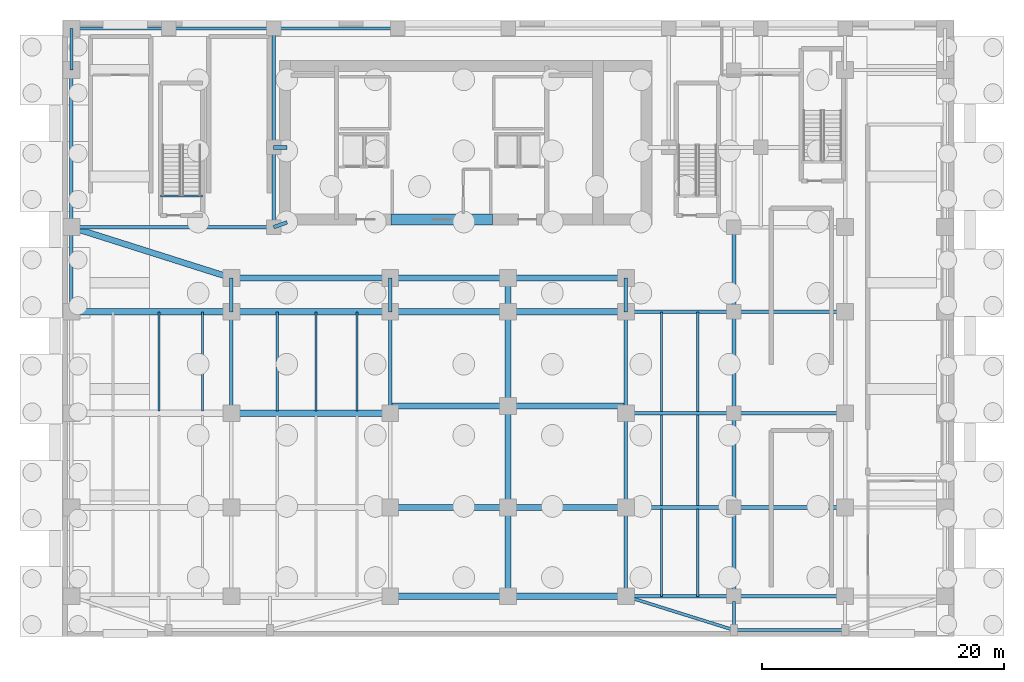
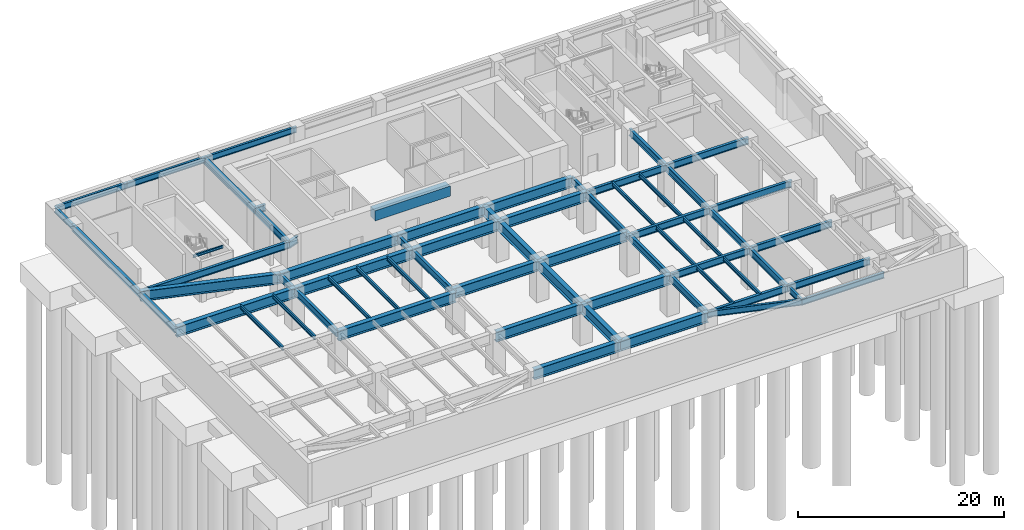
# One storey, part 3 of 9: 66 beams.
"""IFC4 building model written with IfcOpenShell, lengths in metres."""

from ifc_helpers import new_model, si_unit, direction, frame, origin, origin_2d, place, context, subcontext, project, spatial, rectangle, i_section, extrude, source, transform, mapped, material, material_profile, profile_set, type_object, type_shapes, element, save


model = new_model("IFC4")

# Units and contexts
model_context = context("Model", 3, precision=1e-05, world=origin(), true_north=direction((0.0, 1.0)))
body_context = subcontext(model_context, "Body", "Model", "MODEL_VIEW")
ifc_project = project(units=[si_unit("LENGTHUNIT", "METRE"), si_unit("AREAUNIT", "SQUARE_METRE"), si_unit("VOLUMEUNIT", "CUBIC_METRE"), si_unit("PLANEANGLEUNIT", "RADIAN"), si_unit("MASSUNIT", "GRAM", prefix="KILO")], contexts=[model_context])

# Site, building, storey
site_placement = place(None, origin())
site = spatial("IfcSite", under=ifc_project, at=site_placement, CompositionType="ELEMENT")
building_placement = place(site_placement, origin())
building = spatial("IfcBuilding", under=site, at=building_placement, Name="Tolvann Quenvar Hotel", CompositionType="ELEMENT")
storey_placement = place(building_placement, frame((0.0, 0.0, -14.39990234375)))
storey = spatial("IfcBuildingStorey", under=building, at=storey_placement, Name="B03", CompositionType="ELEMENT", Elevation=-14.39990234375)

# Beams
ifc_material_1 = material(Name="Concrete S80 (80 MPa)", Category="concrete")
ifc_material_profile_1 = material_profile(ifc_material_1, rectangle(XDim=0.89990234375, YDim=1.199951171875, at=origin_2d()), Name="RC900x1200")
ifc_profile_set_1 = profile_set([ifc_material_profile_1], Name="Concrete S80 (80 MPa)")
beam_type_1 = type_object("IfcBeamType", Name="BM_LINT_RC900x1200", PredefinedType="LINTEL", material=ifc_profile_set_1)
shared_shape_1 = source(origin(), body_context, "Body", "SweptSolid", [
    extrude(rectangle(XDim=0.89990234375, YDim=1.199951171875, at=origin_2d()), origin(), (0.0, 0.0, 1.0), 8.39990234375),
])
type_shapes(beam_type_1, [shared_shape_1])
beam_1_placement = place(storey_placement, frame((18.800048828125, 32.050048828125, 3.93994140625), z_axis=(1.0, 0.0, 0.0), x_axis=(0.0, 1.0, 0.0)))
element("IfcBeam", 1, at=beam_1_placement, inside=storey, type_object=beam_type_1, Name="Core Coupling Lintel Beam (B03)", PredefinedType="LINTEL", context=body_context, shape_type="MappedRepresentation", body=[
    mapped(shared_shape_1, transform((0.0, 0.0, 0.0), x_axis=(1.0, 0.0, 0.0), y_axis=(0.0, 1.0, 0.0), z_axis=(0.0, 0.0, 1.0), scale=1.0)),
])
ifc_material_2 = material(Name="Steel Grade 350", Category="steel")
ifc_material_profile_2 = material_profile(ifc_material_2, i_section(OverallWidth=0.5, OverallDepth=1.199951171875, WebThickness=0.01611328125, FlangeThickness=0.0400390625, at=origin_2d()), Name="1200WB455")
ifc_profile_set_2 = profile_set([ifc_material_profile_2], Name="Steel Grade 350")
beam_type_2 = type_object("IfcBeamType", Name="BM_TG_1200WB455", PredefinedType="USERDEFINED", material=ifc_profile_set_2)
shared_shape_2 = source(origin(), body_context, "Body", "SweptSolid", [
    extrude(i_section(OverallWidth=0.5, OverallDepth=1.199951171875, WebThickness=0.01611328125, FlangeThickness=0.0400390625, at=origin_2d()), origin(), (0.0, 0.0, 1.0), 13.25),
])
beam_2_placement = place(storey_placement, frame((-7.64990234375, 24.39990234375, 3.93994140625), z_axis=(1.0, 0.0, 0.0), x_axis=(0.0, 1.0, 0.0)))
element("IfcBeam", 2, at=beam_2_placement, inside=storey, type_object=beam_type_2, Name="BM-B03-GW1-4", ObjectType="TRANSFER GIRDER", PredefinedType="USERDEFINED", context=body_context, shape_type="MappedRepresentation", body=[
    mapped(shared_shape_2, transform((0.0, 0.0, 0.0), x_axis=(1.0, 0.0, 0.0), y_axis=(0.0, 1.0, 0.0), z_axis=(0.0, 0.0, 1.0), scale=1.0)),
])
shared_shape_3 = source(origin(), body_context, "Body", "SweptSolid", [
    extrude(i_section(OverallWidth=0.5, OverallDepth=1.199951171875, WebThickness=0.01611328125, FlangeThickness=0.0400390625, at=origin_2d()), origin(), (0.0, 0.0, 1.0), 13.14990234375),
])
for number, where, z_axis, x_axis, name in (
    (3, (5.60009765625, 16.0, 3.93994140625), (1.0, 0.0, 0.0), (0.0, 1.0, 0.0), "BM-B03-GW2-3"),
    (4, (5.60009765625, 24.39990234375, 3.93994140625), (1.0, 0.0, 0.0), (0.0, 1.0, 0.0), "BM-B03-GW2-4"),
    (5, (5.60009765625, 27.199951171875, 3.93994140625), (1.0, 0.0, 0.0), (0.0, 1.0, 0.0), "BM-B03-GW2-5"),
):
    element("IfcBeam", number, at=place(storey_placement, frame(where, z_axis=z_axis, x_axis=x_axis)), inside=storey, type_object=beam_type_2, Name=name, ObjectType="TRANSFER GIRDER", PredefinedType="USERDEFINED", context=body_context, shape_type="MappedRepresentation", body=[
        mapped(shared_shape_3, transform((0.0, 0.0, 0.0), x_axis=(1.0, 0.0, 0.0), y_axis=(0.0, 1.0, 0.0), z_axis=(0.0, 0.0, 1.0), scale=1.0)),
    ])
shared_shape_4 = source(origin(), body_context, "Body", "SweptSolid", [
    extrude(i_section(OverallWidth=0.5, OverallDepth=1.199951171875, WebThickness=0.01611328125, FlangeThickness=0.0400390625, at=origin_2d()), origin(), (0.0, 0.0, 1.0), 13.899658203125),
])
beam_3_placement = place(storey_placement, frame((-7.64990234375, 31.39990234375, 3.93994140625), z_axis=(0.953256923778, -0.302160945971, 0.0), x_axis=(0.302160945971, 0.953256923778, 0.0)))
element("IfcBeam", 6, at=beam_3_placement, inside=storey, type_object=beam_type_2, Name="BM-B03-GW1-5", ObjectType="TRANSFER GIRDER", PredefinedType="USERDEFINED", context=body_context, shape_type="MappedRepresentation", body=[
    mapped(shared_shape_4, transform((0.0, 0.0, 0.0), x_axis=(1.0, 0.0, 0.0), y_axis=(0.0, 1.0, 0.0), z_axis=(0.0, 0.0, 1.0), scale=1.0)),
])
ifc_material_profile_3 = material_profile(ifc_material_2, i_section(OverallWidth=0.300048828125, OverallDepth=0.81591796875, WebThickness=0.010009765625, FlangeThickness=0.028076171875, at=origin_2d()), Name="800WB192")
ifc_profile_set_3 = profile_set([ifc_material_profile_3], Name="Steel Grade 350")
beam_type_3 = type_object("IfcBeamType", Name="BM_GIRD_800WB192", PredefinedType="BEAM", material=ifc_profile_set_3)
shared_shape_5 = source(origin(), body_context, "Body", "SweptSolid", [
    extrude(i_section(OverallWidth=0.300048828125, OverallDepth=0.81591796875, WebThickness=0.010009765625, FlangeThickness=0.028076171875, at=origin_2d()), origin(), (0.0, 0.0, 1.0), 7.349853515625),
])
for number, where, z_axis, x_axis, name in (
    (7, (38.25, 0.85009765625, 4.1318359375), (0.0, 1.0, 0.0), (-1.0, 0.0, 0.0), "BM-B03-NS-APE-0"),
    (8, (47.199951171875, 0.85009765625, 4.1318359375), (0.0, 1.0, 0.0), (-1.0, 0.0, 0.0), "BM-B03-NS-H-0"),
):
    element("IfcBeam", number, at=place(storey_placement, frame(where, z_axis=z_axis, x_axis=x_axis)), inside=storey, type_object=beam_type_3, Name=name, PredefinedType="BEAM", context=body_context, shape_type="MappedRepresentation", body=[
        mapped(shared_shape_5, transform((0.0, 0.0, 0.0), x_axis=(1.0, 0.0, 0.0), y_axis=(0.0, 1.0, 0.0), z_axis=(0.0, 0.0, 1.0), scale=1.0)),
    ])
shared_shape_6 = source(origin(), body_context, "Body", "SweptSolid", [
    extrude(i_section(OverallWidth=0.300048828125, OverallDepth=0.81591796875, WebThickness=0.010009765625, FlangeThickness=0.028076171875, at=origin_2d()), origin(), (0.0, 0.0, 1.0), 7.800048828125),
])
for number, where, z_axis, x_axis, name in (
    (9, (38.25, 8.199951171875, 4.1318359375), (0.0, 1.0, 0.0), (-1.0, 0.0, 0.0), "BM-B03-NS-APE-1"),
    (10, (47.199951171875, 8.199951171875, 4.1318359375), (0.0, 1.0, 0.0), (-1.0, 0.0, 0.0), "BM-B03-NS-H-1"),
):
    element("IfcBeam", number, at=place(storey_placement, frame(where, z_axis=z_axis, x_axis=x_axis)), inside=storey, type_object=beam_type_3, Name=name, PredefinedType="BEAM", context=body_context, shape_type="MappedRepresentation", body=[
        mapped(shared_shape_6, transform((0.0, 0.0, 0.0), x_axis=(1.0, 0.0, 0.0), y_axis=(0.0, 1.0, 0.0), z_axis=(0.0, 0.0, 1.0), scale=1.0)),
    ])
shared_shape_7 = source(origin(), body_context, "Body", "SweptSolid", [
    extrude(i_section(OverallWidth=0.300048828125, OverallDepth=0.81591796875, WebThickness=0.010009765625, FlangeThickness=0.028076171875, at=origin_2d()), origin(), (0.0, 0.0, 1.0), 8.39990234375),
])
for number, where, z_axis, x_axis, name in (
    (11, (5.60009765625, 16.0, 4.1318359375), (0.0, 1.0, 0.0), (-1.0, 0.0, 0.0), "BM-B03-NS-PBAL-2"),
    (12, (18.75, 16.0, 4.1318359375), (0.0, 1.0, 0.0), (-1.0, 0.0, 0.0), "BM-B03-NS-APW-2"),
    (13, (38.25, 16.0, 4.1318359375), (0.0, 1.0, 0.0), (-1.0, 0.0, 0.0), "BM-B03-NS-APE-2"),
    (14, (47.199951171875, 16.0, 4.1318359375), (0.0, 1.0, 0.0), (-1.0, 0.0, 0.0), "BM-B03-NS-H-2"),
):
    element("IfcBeam", number, at=place(storey_placement, frame(where, z_axis=z_axis, x_axis=x_axis)), inside=storey, type_object=beam_type_3, Name=name, PredefinedType="BEAM", context=body_context, shape_type="MappedRepresentation", body=[
        mapped(shared_shape_7, transform((0.0, 0.0, 0.0), x_axis=(1.0, 0.0, 0.0), y_axis=(0.0, 1.0, 0.0), z_axis=(0.0, 0.0, 1.0), scale=1.0)),
    ])
shared_shape_8 = source(origin(), body_context, "Body", "SweptSolid", [
    extrude(i_section(OverallWidth=0.300048828125, OverallDepth=0.81591796875, WebThickness=0.010009765625, FlangeThickness=0.028076171875, at=origin_2d()), origin(), (0.0, 0.0, 1.0), 2.800048828125),
])
for number, where, z_axis, x_axis, name in (
    (15, (5.60009765625, 24.39990234375, 4.1318359375), (0.0, 1.0, 0.0), (-1.0, 0.0, 0.0), "BM-B03-NS-PBAL-3"),
    (16, (18.75, 24.39990234375, 4.1318359375), (0.0, 1.0, 0.0), (-1.0, 0.0, 0.0), "BM-B03-NS-APW-3"),
    (17, (38.25, 24.39990234375, 4.1318359375), (0.0, 1.0, 0.0), (-1.0, 0.0, 0.0), "BM-B03-NS-APE-3"),
):
    element("IfcBeam", number, at=place(storey_placement, frame(where, z_axis=z_axis, x_axis=x_axis)), inside=storey, type_object=beam_type_3, Name=name, PredefinedType="BEAM", context=body_context, shape_type="MappedRepresentation", body=[
        mapped(shared_shape_8, transform((0.0, 0.0, 0.0), x_axis=(1.0, 0.0, 0.0), y_axis=(0.0, 1.0, 0.0), z_axis=(0.0, 0.0, 1.0), scale=1.0)),
    ])
shared_shape_9 = source(origin(), body_context, "Body", "SweptSolid", [
    extrude(i_section(OverallWidth=0.5, OverallDepth=1.199951171875, WebThickness=0.01611328125, FlangeThickness=0.0400390625, at=origin_2d()), origin(), (0.0, 0.0, 1.0), 9.75),
])
for number, where, z_axis, x_axis, name in (
    (18, (18.75, 0.85009765625, 3.93994140625), (1.0, 0.0, 0.0), (0.0, 1.0, 0.0), "BM-B03-GA1-8"),
    (19, (28.5, 0.85009765625, 3.93994140625), (1.0, 0.0, 0.0), (0.0, 1.0, 0.0), "BM-B03-GA2-8"),
    (20, (18.75, 8.199951171875, 3.93994140625), (1.0, 0.0, 0.0), (0.0, 1.0, 0.0), "BM-B03-GA1-82"),
    (21, (28.5, 8.199951171875, 3.93994140625), (1.0, 0.0, 0.0), (0.0, 1.0, 0.0), "BM-B03-GA2-82"),
    (22, (18.75, 16.60009765625, 3.93994140625), (1.0, 0.0, 0.0), (0.0, 1.0, 0.0), "BM-B03-GA1-166"),
    (23, (28.5, 16.60009765625, 3.93994140625), (1.0, 0.0, 0.0), (0.0, 1.0, 0.0), "BM-B03-GA2-166"),
    (24, (18.75, 24.39990234375, 3.93994140625), (1.0, 0.0, 0.0), (0.0, 1.0, 0.0), "BM-B03-GA1-244"),
    (25, (28.5, 24.39990234375, 3.93994140625), (1.0, 0.0, 0.0), (0.0, 1.0, 0.0), "BM-B03-GA2-244"),
    (26, (18.75, 27.199951171875, 3.93994140625), (1.0, 0.0, 0.0), (0.0, 1.0, 0.0), "BM-B03-GA1-272"),
    (27, (28.5, 27.199951171875, 3.93994140625), (1.0, 0.0, 0.0), (0.0, 1.0, 0.0), "BM-B03-GA2-272"),
):
    element("IfcBeam", number, at=place(storey_placement, frame(where, z_axis=z_axis, x_axis=x_axis)), inside=storey, type_object=beam_type_2, Name=name, ObjectType="TRANSFER GIRDER", PredefinedType="USERDEFINED", context=body_context, shape_type="MappedRepresentation", body=[
        mapped(shared_shape_9, transform((0.0, 0.0, 0.0), x_axis=(1.0, 0.0, 0.0), y_axis=(0.0, 1.0, 0.0), z_axis=(0.0, 0.0, 1.0), scale=1.0)),
    ])
shared_shape_10 = source(origin(), body_context, "Body", "SweptSolid", [
    extrude(i_section(OverallWidth=0.5, OverallDepth=1.199951171875, WebThickness=0.01611328125, FlangeThickness=0.0400390625, at=origin_2d()), origin(), (0.0, 0.0, 1.0), 7.349853515625),
])
beam_4_placement = place(storey_placement, frame((28.5, 0.85009765625, 3.93994140625), z_axis=(0.0, 1.0, 0.0), x_axis=(-1.0, 0.0, 0.0)))
element("IfcBeam", 28, at=beam_4_placement, inside=storey, type_object=beam_type_2, Name="BM-B03-ARCH-NS-0", ObjectType="TRANSFER GIRDER", PredefinedType="USERDEFINED", context=body_context, shape_type="MappedRepresentation", body=[
    mapped(shared_shape_10, transform((0.0, 0.0, 0.0), x_axis=(1.0, 0.0, 0.0), y_axis=(0.0, 1.0, 0.0), z_axis=(0.0, 0.0, 1.0), scale=1.0)),
])
shared_shape_11 = source(origin(), body_context, "Body", "SweptSolid", [
    extrude(i_section(OverallWidth=0.5, OverallDepth=1.199951171875, WebThickness=0.01611328125, FlangeThickness=0.0400390625, at=origin_2d()), origin(), (0.0, 0.0, 1.0), 8.400146484375),
])
beam_5_placement = place(storey_placement, frame((28.5, 8.199951171875, 3.93994140625), z_axis=(0.0, 1.0, 0.0), x_axis=(-1.0, 0.0, 0.0)))
element("IfcBeam", 29, at=beam_5_placement, inside=storey, type_object=beam_type_2, Name="BM-B03-ARCH-NS-8", ObjectType="TRANSFER GIRDER", PredefinedType="USERDEFINED", context=body_context, shape_type="MappedRepresentation", body=[
    mapped(shared_shape_11, transform((0.0, 0.0, 0.0), x_axis=(1.0, 0.0, 0.0), y_axis=(0.0, 1.0, 0.0), z_axis=(0.0, 0.0, 1.0), scale=1.0)),
])
shared_shape_12 = source(origin(), body_context, "Body", "SweptSolid", [
    extrude(i_section(OverallWidth=0.5, OverallDepth=1.199951171875, WebThickness=0.01611328125, FlangeThickness=0.0400390625, at=origin_2d()), origin(), (0.0, 0.0, 1.0), 7.7998046875),
])
beam_6_placement = place(storey_placement, frame((28.5, 16.60009765625, 3.93994140625), z_axis=(0.0, 1.0, 0.0), x_axis=(-1.0, 0.0, 0.0)))
element("IfcBeam", 30, at=beam_6_placement, inside=storey, type_object=beam_type_2, Name="BM-B03-ARCH-NS-16", ObjectType="TRANSFER GIRDER", PredefinedType="USERDEFINED", context=body_context, shape_type="MappedRepresentation", body=[
    mapped(shared_shape_12, transform((0.0, 0.0, 0.0), x_axis=(1.0, 0.0, 0.0), y_axis=(0.0, 1.0, 0.0), z_axis=(0.0, 0.0, 1.0), scale=1.0)),
])
shared_shape_13 = source(origin(), body_context, "Body", "SweptSolid", [
    extrude(i_section(OverallWidth=0.5, OverallDepth=1.199951171875, WebThickness=0.01611328125, FlangeThickness=0.0400390625, at=origin_2d()), origin(), (0.0, 0.0, 1.0), 2.800048828125),
])
type_shapes(beam_type_2, [shared_shape_2, shared_shape_3, shared_shape_4, shared_shape_9, shared_shape_10, shared_shape_11, shared_shape_12, shared_shape_13])
beam_7_placement = place(storey_placement, frame((28.5, 24.39990234375, 3.93994140625), z_axis=(0.0, 1.0, 0.0), x_axis=(-1.0, 0.0, 0.0)))
element("IfcBeam", 31, at=beam_7_placement, inside=storey, type_object=beam_type_2, Name="BM-B03-ARCH-NS-24", ObjectType="TRANSFER GIRDER", PredefinedType="USERDEFINED", context=body_context, shape_type="MappedRepresentation", body=[
    mapped(shared_shape_13, transform((0.0, 0.0, 0.0), x_axis=(1.0, 0.0, 0.0), y_axis=(0.0, 1.0, 0.0), z_axis=(0.0, 0.0, 1.0), scale=1.0)),
])
shared_shape_14 = source(origin(), body_context, "Body", "SweptSolid", [
    extrude(i_section(OverallWidth=0.300048828125, OverallDepth=0.81591796875, WebThickness=0.010009765625, FlangeThickness=0.028076171875, at=origin_2d()), origin(), (0.0, 0.0, 1.0), 8.949951171875),
])
for number, where, z_axis, x_axis, name in (
    (32, (38.25, 0.85009765625, 4.1318359375), (1.0, 0.0, 0.0), (0.0, 1.0, 0.0), "BM-B03-GE1-1"),
    (33, (38.25, 8.199951171875, 4.1318359375), (1.0, 0.0, 0.0), (0.0, 1.0, 0.0), "BM-B03-GE1-2"),
    (34, (38.25, 16.0, 4.1318359375), (1.0, 0.0, 0.0), (0.0, 1.0, 0.0), "BM-B03-GE1-3"),
    (35, (38.25, 24.39990234375, 4.1318359375), (1.0, 0.0, 0.0), (0.0, 1.0, 0.0), "BM-B03-GE1-4"),
):
    element("IfcBeam", number, at=place(storey_placement, frame(where, z_axis=z_axis, x_axis=x_axis)), inside=storey, type_object=beam_type_3, Name=name, PredefinedType="BEAM", context=body_context, shape_type="MappedRepresentation", body=[
        mapped(shared_shape_14, transform((0.0, 0.0, 0.0), x_axis=(1.0, 0.0, 0.0), y_axis=(0.0, 1.0, 0.0), z_axis=(0.0, 0.0, 1.0), scale=1.0)),
    ])
shared_shape_15 = source(origin(), body_context, "Body", "SweptSolid", [
    extrude(i_section(OverallWidth=0.300048828125, OverallDepth=0.81591796875, WebThickness=0.010009765625, FlangeThickness=0.028076171875, at=origin_2d()), origin(), (0.0, 0.0, 1.0), 9.199951171875),
])
for number, where, z_axis, x_axis, name in (
    (36, (47.199951171875, 0.85009765625, 4.1318359375), (1.0, 0.0, 0.0), (0.0, 1.0, 0.0), "BM-B03-GE2-1"),
    (37, (47.199951171875, 8.199951171875, 4.1318359375), (1.0, 0.0, 0.0), (0.0, 1.0, 0.0), "BM-B03-GE2-2"),
    (38, (47.199951171875, 16.0, 4.1318359375), (1.0, 0.0, 0.0), (0.0, 1.0, 0.0), "BM-B03-GE2-3"),
    (39, (47.199951171875, 24.39990234375, 4.1318359375), (1.0, 0.0, 0.0), (0.0, 1.0, 0.0), "BM-B03-GE2-4"),
):
    element("IfcBeam", number, at=place(storey_placement, frame(where, z_axis=z_axis, x_axis=x_axis)), inside=storey, type_object=beam_type_3, Name=name, PredefinedType="BEAM", context=body_context, shape_type="MappedRepresentation", body=[
        mapped(shared_shape_15, transform((0.0, 0.0, 0.0), x_axis=(1.0, 0.0, 0.0), y_axis=(0.0, 1.0, 0.0), z_axis=(0.0, 0.0, 1.0), scale=1.0)),
    ])
shared_shape_16 = source(origin(), body_context, "Body", "SweptSolid", [
    extrude(i_section(OverallWidth=0.300048828125, OverallDepth=0.81591796875, WebThickness=0.010009765625, FlangeThickness=0.028076171875, at=origin_2d()), origin(), (0.0, 0.0, 1.0), 7.0),
])
for number, where, z_axis, x_axis, name in (
    (40, (-7.64990234375, 24.39990234375, 4.1318359375), (0.0, 1.0, 0.0), (-1.0, 0.0, 0.0), "BM-B03-NS-A-3"),
    (41, (47.199951171875, 24.39990234375, 4.1318359375), (0.0, 1.0, 0.0), (-1.0, 0.0, 0.0), "BM-B03-NS-H-3"),
):
    element("IfcBeam", number, at=place(storey_placement, frame(where, z_axis=z_axis, x_axis=x_axis)), inside=storey, type_object=beam_type_3, Name=name, PredefinedType="BEAM", context=body_context, shape_type="MappedRepresentation", body=[
        mapped(shared_shape_16, transform((0.0, 0.0, 0.0), x_axis=(1.0, 0.0, 0.0), y_axis=(0.0, 1.0, 0.0), z_axis=(0.0, 0.0, 1.0), scale=1.0)),
    ])
shared_shape_17 = source(origin(), body_context, "Body", "SweptSolid", [
    extrude(i_section(OverallWidth=0.300048828125, OverallDepth=0.81591796875, WebThickness=0.010009765625, FlangeThickness=0.028076171875, at=origin_2d()), origin(), (0.0, 0.0, 1.0), 13.0),
])
beam_8_placement = place(storey_placement, frame((-7.64990234375, 31.39990234375, 4.1318359375), z_axis=(0.0, 1.0, 0.0), x_axis=(-1.0, 0.0, 0.0)))
element("IfcBeam", 42, at=beam_8_placement, inside=storey, type_object=beam_type_3, Name="BM-B03-NS-A-4", PredefinedType="BEAM", context=body_context, shape_type="MappedRepresentation", body=[
    mapped(shared_shape_17, transform((0.0, 0.0, 0.0), x_axis=(1.0, 0.0, 0.0), y_axis=(0.0, 1.0, 0.0), z_axis=(0.0, 0.0, 1.0), scale=1.0)),
])
ifc_material_profile_4 = material_profile(ifc_material_2, i_section(OverallWidth=0.25, OverallDepth=0.699951171875, WebThickness=0.010009765625, FlangeThickness=0.02392578125, at=origin_2d()), Name="700WB150")
ifc_profile_set_4 = profile_set([ifc_material_profile_4], Name="Steel Grade 350")
beam_type_4 = type_object("IfcBeamType", Name="BM_GIRD_700WB150", PredefinedType="BEAM", material=ifc_profile_set_4)
shared_shape_18 = source(origin(), body_context, "Body", "SweptSolid", [
    extrude(i_section(OverallWidth=0.25, OverallDepth=0.699951171875, WebThickness=0.010009765625, FlangeThickness=0.02392578125, at=origin_2d()), origin(), (0.0, 0.0, 1.0), 3.4501953125),
])
beam_9_placement = place(storey_placement, frame((-7.64990234375, 44.39990234375, 4.18994140625), z_axis=(0.0, 1.0, 0.0), x_axis=(-1.0, 0.0, 0.0)))
element("IfcBeam", 43, at=beam_9_placement, inside=storey, type_object=beam_type_4, Name="BM-B03-NSN-A", PredefinedType="BEAM", context=body_context, shape_type="MappedRepresentation", body=[
    mapped(shared_shape_18, transform((0.0, 0.0, 0.0), x_axis=(1.0, 0.0, 0.0), y_axis=(0.0, 1.0, 0.0), z_axis=(0.0, 0.0, 1.0), scale=1.0)),
])
shared_shape_19 = source(origin(), body_context, "Body", "SweptSolid", [
    extrude(i_section(OverallWidth=0.25, OverallDepth=0.699951171875, WebThickness=0.010009765625, FlangeThickness=0.02392578125, at=origin_2d()), origin(), (0.0, 0.0, 1.0), 2.349853515625),
])
beam_10_placement = place(storey_placement, frame((47.199951171875, -1.949951171875, 4.18994140625), z_axis=(0.0, 1.0, 0.0), x_axis=(-1.0, 0.0, 0.0)))
element("IfcBeam", 44, at=beam_10_placement, inside=storey, type_object=beam_type_4, Name="BM-B03-NSS-H", PredefinedType="BEAM", context=body_context, shape_type="MappedRepresentation", body=[
    mapped(shared_shape_19, transform((0.0, 0.0, 0.0), x_axis=(1.0, 0.0, 0.0), y_axis=(0.0, 1.0, 0.0), z_axis=(0.0, 0.0, 1.0), scale=1.0)),
])
shared_shape_20 = source(origin(), body_context, "Body", "SweptSolid", [
    extrude(i_section(OverallWidth=0.25, OverallDepth=0.699951171875, WebThickness=0.010009765625, FlangeThickness=0.02392578125, at=origin_2d()), origin(), (0.0, 0.0, 1.0), 9.377685546875),
])
beam_11_placement = place(storey_placement, frame((38.25, 0.85009765625, 4.18994140625), z_axis=(0.954383110647, -0.298584792166, 0.0), x_axis=(0.298584792166, 0.954383110647, 0.0)))
element("IfcBeam", 45, at=beam_11_placement, inside=storey, type_object=beam_type_4, Name="BM-B03-EWS-E0", PredefinedType="BEAM", context=body_context, shape_type="MappedRepresentation", body=[
    mapped(shared_shape_20, transform((0.0, 0.0, 0.0), x_axis=(1.0, 0.0, 0.0), y_axis=(0.0, 1.0, 0.0), z_axis=(0.0, 0.0, 1.0), scale=1.0)),
])
shared_shape_21 = source(origin(), body_context, "Body", "SweptSolid", [
    extrude(i_section(OverallWidth=0.25, OverallDepth=0.699951171875, WebThickness=0.010009765625, FlangeThickness=0.02392578125, at=origin_2d()), origin(), (0.0, 0.0, 1.0), 9.199951171875),
])
beam_12_placement = place(storey_placement, frame((47.199951171875, -1.949951171875, 4.18994140625), z_axis=(1.0, 0.0, 0.0), x_axis=(0.0, 1.0, 0.0)))
element("IfcBeam", 46, at=beam_12_placement, inside=storey, type_object=beam_type_4, Name="BM-B03-EWS-E1", PredefinedType="BEAM", context=body_context, shape_type="MappedRepresentation", body=[
    mapped(shared_shape_21, transform((0.0, 0.0, 0.0), x_axis=(1.0, 0.0, 0.0), y_axis=(0.0, 1.0, 0.0), z_axis=(0.0, 0.0, 1.0), scale=1.0)),
])
shared_shape_22 = source(origin(), body_context, "Body", "SweptSolid", [
    extrude(i_section(OverallWidth=0.25, OverallDepth=0.699951171875, WebThickness=0.010009765625, FlangeThickness=0.02392578125, at=origin_2d()), origin(), (0.0, 0.0, 1.0), 8.0498046875),
])
beam_13_placement = place(storey_placement, frame((-7.64990234375, 47.85009765625, 4.18994140625), z_axis=(1.0, 0.0, 0.0), x_axis=(0.0, 1.0, 0.0)))
element("IfcBeam", 47, at=beam_13_placement, inside=storey, type_object=beam_type_4, Name="BM-B03-EWN-0", PredefinedType="BEAM", context=body_context, shape_type="MappedRepresentation", body=[
    mapped(shared_shape_22, transform((0.0, 0.0, 0.0), x_axis=(1.0, 0.0, 0.0), y_axis=(0.0, 1.0, 0.0), z_axis=(0.0, 0.0, 1.0), scale=1.0)),
])
shared_shape_23 = source(origin(), body_context, "Body", "SweptSolid", [
    extrude(i_section(OverallWidth=0.25, OverallDepth=0.699951171875, WebThickness=0.010009765625, FlangeThickness=0.02392578125, at=origin_2d()), origin(), (0.0, 0.0, 1.0), 8.7001953125),
])
beam_14_placement = place(storey_placement, frame((0.39990234375, 47.85009765625, 4.18994140625), z_axis=(1.0, 0.0, 0.0), x_axis=(0.0, 1.0, 0.0)))
element("IfcBeam", 48, at=beam_14_placement, inside=storey, type_object=beam_type_4, Name="BM-B03-EWN-1", PredefinedType="BEAM", context=body_context, shape_type="MappedRepresentation", body=[
    mapped(shared_shape_23, transform((0.0, 0.0, 0.0), x_axis=(1.0, 0.0, 0.0), y_axis=(0.0, 1.0, 0.0), z_axis=(0.0, 0.0, 1.0), scale=1.0)),
])
shared_shape_24 = source(origin(), body_context, "Body", "SweptSolid", [
    extrude(i_section(OverallWidth=0.25, OverallDepth=0.699951171875, WebThickness=0.010009765625, FlangeThickness=0.02392578125, at=origin_2d()), origin(), (0.0, 0.0, 1.0), 10.25),
])
type_shapes(beam_type_4, [shared_shape_18, shared_shape_19, shared_shape_20, shared_shape_21, shared_shape_22, shared_shape_23, shared_shape_24])
beam_15_placement = place(storey_placement, frame((9.10009765625, 47.85009765625, 4.18994140625), z_axis=(1.0, 0.0, 0.0), x_axis=(0.0, 1.0, 0.0)))
element("IfcBeam", 49, at=beam_15_placement, inside=storey, type_object=beam_type_4, Name="BM-B03-EWN-2", PredefinedType="BEAM", context=body_context, shape_type="MappedRepresentation", body=[
    mapped(shared_shape_24, transform((0.0, 0.0, 0.0), x_axis=(1.0, 0.0, 0.0), y_axis=(0.0, 1.0, 0.0), z_axis=(0.0, 0.0, 1.0), scale=1.0)),
])
shared_shape_25 = source(origin(), body_context, "Body", "SweptSolid", [
    extrude(i_section(OverallWidth=0.300048828125, OverallDepth=0.81591796875, WebThickness=0.010009765625, FlangeThickness=0.028076171875, at=origin_2d()), origin(), (0.0, 0.0, 1.0), 16.75),
])
beam_16_placement = place(storey_placement, frame((-7.64990234375, 31.39990234375, 4.1318359375), z_axis=(1.0, 0.0, 0.0), x_axis=(0.0, 1.0, 0.0)))
element("IfcBeam", 50, at=beam_16_placement, inside=storey, type_object=beam_type_3, Name="BM-B03-EW-PCNS", PredefinedType="BEAM", context=body_context, shape_type="MappedRepresentation", body=[
    mapped(shared_shape_25, transform((0.0, 0.0, 0.0), x_axis=(1.0, 0.0, 0.0), y_axis=(0.0, 1.0, 0.0), z_axis=(0.0, 0.0, 1.0), scale=1.0)),
])
shared_shape_26 = source(origin(), body_context, "Body", "SweptSolid", [
    extrude(i_section(OverallWidth=0.300048828125, OverallDepth=0.81591796875, WebThickness=0.010009765625, FlangeThickness=0.028076171875, at=origin_2d()), origin(), (0.0, 0.0, 1.0), 1.17041015625),
])
beam_17_placement = place(storey_placement, frame((9.10009765625, 31.39990234375, 4.1318359375), z_axis=(0.939738597058, 0.34189379813, 0.0), x_axis=(-0.34189379813, 0.939738597058, 0.0)))
element("IfcBeam", 51, at=beam_17_placement, inside=storey, type_object=beam_type_3, Name="BM-B03-EW-PCNS2", PredefinedType="BEAM", context=body_context, shape_type="MappedRepresentation", body=[
    mapped(shared_shape_26, transform((0.0, 0.0, 0.0), x_axis=(1.0, 0.0, 0.0), y_axis=(0.0, 1.0, 0.0), z_axis=(0.0, 0.0, 1.0), scale=1.0)),
])
shared_shape_27 = source(origin(), body_context, "Body", "SweptSolid", [
    extrude(i_section(OverallWidth=0.300048828125, OverallDepth=0.81591796875, WebThickness=0.010009765625, FlangeThickness=0.028076171875, at=origin_2d()), origin(), (0.0, 0.0, 1.0), 6.60009765625),
])
beam_18_placement = place(storey_placement, frame((9.10009765625, 31.39990234375, 4.1318359375), z_axis=(0.0, 1.0, 0.0), x_axis=(-1.0, 0.0, 0.0)))
element("IfcBeam", 52, at=beam_18_placement, inside=storey, type_object=beam_type_3, Name="BM-B03-NSB-PCN1", PredefinedType="BEAM", context=body_context, shape_type="MappedRepresentation", body=[
    mapped(shared_shape_27, transform((0.0, 0.0, 0.0), x_axis=(1.0, 0.0, 0.0), y_axis=(0.0, 1.0, 0.0), z_axis=(0.0, 0.0, 1.0), scale=1.0)),
])
shared_shape_28 = source(origin(), body_context, "Body", "SweptSolid", [
    extrude(i_section(OverallWidth=0.300048828125, OverallDepth=0.81591796875, WebThickness=0.010009765625, FlangeThickness=0.028076171875, at=origin_2d()), origin(), (0.0, 0.0, 1.0), 9.85009765625),
])
beam_19_placement = place(storey_placement, frame((9.10009765625, 38.0, 4.1318359375), z_axis=(0.0, 1.0, 0.0), x_axis=(-1.0, 0.0, 0.0)))
element("IfcBeam", 53, at=beam_19_placement, inside=storey, type_object=beam_type_3, Name="BM-B03-NSB-PCN2", PredefinedType="BEAM", context=body_context, shape_type="MappedRepresentation", body=[
    mapped(shared_shape_28, transform((0.0, 0.0, 0.0), x_axis=(1.0, 0.0, 0.0), y_axis=(0.0, 1.0, 0.0), z_axis=(0.0, 0.0, 1.0), scale=1.0)),
])
shared_shape_29 = source(origin(), body_context, "Body", "SweptSolid", [
    extrude(i_section(OverallWidth=0.300048828125, OverallDepth=0.81591796875, WebThickness=0.010009765625, FlangeThickness=0.028076171875, at=origin_2d()), origin(), (0.0, 0.0, 1.0), 1.099853515625),
])
type_shapes(beam_type_3, [shared_shape_5, shared_shape_6, shared_shape_7, shared_shape_8, shared_shape_14, shared_shape_15, shared_shape_16, shared_shape_17, shared_shape_25, shared_shape_26, shared_shape_27, shared_shape_28, shared_shape_29])
beam_20_placement = place(storey_placement, frame((9.10009765625, 38.0, 4.1318359375), z_axis=(1.0, 0.0, 0.0), x_axis=(0.0, 1.0, 0.0)))
element("IfcBeam", 54, at=beam_20_placement, inside=storey, type_object=beam_type_3, Name="BM-B03-EW-PCN", PredefinedType="BEAM", context=body_context, shape_type="MappedRepresentation", body=[
    mapped(shared_shape_29, transform((0.0, 0.0, 0.0), x_axis=(1.0, 0.0, 0.0), y_axis=(0.0, 1.0, 0.0), z_axis=(0.0, 0.0, 1.0), scale=1.0)),
])
ifc_material_profile_5 = material_profile(ifc_material_2, i_section(OverallWidth=0.18994140625, OverallDepth=0.4541015625, WebThickness=0.008544921875, FlangeThickness=0.0126953125, FilletRadius=0.011474609375, at=origin_2d()), Name="460UB67")
ifc_profile_set_5 = profile_set([ifc_material_profile_5], Name="Steel Grade 350")
beam_type_5 = type_object("IfcBeamType", Name="BM_JOIST_460UB67", PredefinedType="JOIST", material=ifc_profile_set_5)
shared_shape_30 = source(origin(), body_context, "Body", "SweptSolid", [
    extrude(i_section(OverallWidth=0.18994140625, OverallDepth=0.4541015625, WebThickness=0.008544921875, FlangeThickness=0.0126953125, FilletRadius=0.011474609375, at=origin_2d()), origin(), (0.0, 0.0, 1.0), 8.21484375),
])
for number, where, z_axis, x_axis, name in (
    (55, (-0.39990234375, 16.18505859375, 4.31298828125), (0.0, 1.0, 0.0), (-1.0, 0.0, 0.0), "BJ-B03--4-160"),
    (56, (3.199951171875, 16.18505859375, 4.31298828125), (0.0, 1.0, 0.0), (-1.0, 0.0, 0.0), "BJ-B03-32-160"),
    (57, (9.39990234375, 16.18505859375, 4.31298828125), (0.0, 1.0, 0.0), (-1.0, 0.0, 0.0), "BJ-B03-94-160"),
    (58, (12.60009765625, 16.18505859375, 4.31298828125), (0.0, 1.0, 0.0), (-1.0, 0.0, 0.0), "BJ-B03-126-160"),
    (59, (16.0, 16.18505859375, 4.31298828125), (0.0, 1.0, 0.0), (-1.0, 0.0, 0.0), "BJ-B03-160-160"),
):
    element("IfcBeam", number, at=place(storey_placement, frame(where, z_axis=z_axis, x_axis=x_axis)), inside=storey, type_object=beam_type_5, Name=name, PredefinedType="JOIST", context=body_context, shape_type="MappedRepresentation", body=[
        mapped(shared_shape_30, transform((0.0, 0.0, 0.0), x_axis=(1.0, 0.0, 0.0), y_axis=(0.0, 1.0, 0.0), z_axis=(0.0, 0.0, 1.0), scale=1.0)),
    ])
shared_shape_31 = source(origin(), body_context, "Body", "SweptSolid", [
    extrude(i_section(OverallWidth=0.18994140625, OverallDepth=0.4541015625, WebThickness=0.008544921875, FlangeThickness=0.0126953125, FilletRadius=0.011474609375, at=origin_2d()), origin(), (0.0, 0.0, 1.0), 7.205810546875),
])
for number, where, z_axis, x_axis, name in (
    (60, (41.199951171875, 0.85009765625, 4.31298828125), (0.0, 1.0, 0.0), (-1.0, 0.0, 0.0), "BJ-B03-412-8"),
    (61, (44.199951171875, 0.85009765625, 4.31298828125), (0.0, 1.0, 0.0), (-1.0, 0.0, 0.0), "BJ-B03-442-8"),
):
    element("IfcBeam", number, at=place(storey_placement, frame(where, z_axis=z_axis, x_axis=x_axis)), inside=storey, type_object=beam_type_5, Name=name, PredefinedType="JOIST", context=body_context, shape_type="MappedRepresentation", body=[
        mapped(shared_shape_31, transform((0.0, 0.0, 0.0), x_axis=(1.0, 0.0, 0.0), y_axis=(0.0, 1.0, 0.0), z_axis=(0.0, 0.0, 1.0), scale=1.0)),
    ])
shared_shape_32 = source(origin(), body_context, "Body", "SweptSolid", [
    extrude(i_section(OverallWidth=0.18994140625, OverallDepth=0.4541015625, WebThickness=0.008544921875, FlangeThickness=0.0126953125, FilletRadius=0.011474609375, at=origin_2d()), origin(), (0.0, 0.0, 1.0), 7.511962890625),
])
for number, where, z_axis, x_axis, name in (
    (62, (41.199951171875, 8.343994140625, 4.31298828125), (0.0, 1.0, 0.0), (-1.0, 0.0, 0.0), "BJ-B03-412-82"),
    (63, (44.199951171875, 8.343994140625, 4.31298828125), (0.0, 1.0, 0.0), (-1.0, 0.0, 0.0), "BJ-B03-442-82"),
):
    element("IfcBeam", number, at=place(storey_placement, frame(where, z_axis=z_axis, x_axis=x_axis)), inside=storey, type_object=beam_type_5, Name=name, PredefinedType="JOIST", context=body_context, shape_type="MappedRepresentation", body=[
        mapped(shared_shape_32, transform((0.0, 0.0, 0.0), x_axis=(1.0, 0.0, 0.0), y_axis=(0.0, 1.0, 0.0), z_axis=(0.0, 0.0, 1.0), scale=1.0)),
    ])
shared_shape_33 = source(origin(), body_context, "Body", "SweptSolid", [
    extrude(i_section(OverallWidth=0.18994140625, OverallDepth=0.4541015625, WebThickness=0.008544921875, FlangeThickness=0.0126953125, FilletRadius=0.011474609375, at=origin_2d()), origin(), (0.0, 0.0, 1.0), 8.255859375),
])
type_shapes(beam_type_5, [shared_shape_30, shared_shape_31, shared_shape_32, shared_shape_33])
for number, where, z_axis, x_axis, name in (
    (64, (41.199951171875, 16.14404296875, 4.31298828125), (0.0, 1.0, 0.0), (-1.0, 0.0, 0.0), "BJ-B03-412-160"),
    (65, (44.199951171875, 16.14404296875, 4.31298828125), (0.0, 1.0, 0.0), (-1.0, 0.0, 0.0), "BJ-B03-442-160"),
):
    element("IfcBeam", number, at=place(storey_placement, frame(where, z_axis=z_axis, x_axis=x_axis)), inside=storey, type_object=beam_type_5, Name=name, PredefinedType="JOIST", context=body_context, shape_type="MappedRepresentation", body=[
        mapped(shared_shape_33, transform((0.0, 0.0, 0.0), x_axis=(1.0, 0.0, 0.0), y_axis=(0.0, 1.0, 0.0), z_axis=(0.0, 0.0, 1.0), scale=1.0)),
    ])
ifc_material_profile_6 = material_profile(ifc_material_2, i_section(OverallWidth=0.166015625, OverallDepth=0.306884765625, WebThickness=0.006591796875, FlangeThickness=0.01171875, FilletRadius=0.011474609375, at=origin_2d()), Name="310UB46")
ifc_profile_set_6 = profile_set([ifc_material_profile_6], Name="Steel Grade 350")
beam_type_6 = type_object("IfcBeamType", Name="BM_JOIST_310UB46", PredefinedType="JOIST", material=ifc_profile_set_6)
shared_shape_34 = source(origin(), body_context, "Body", "SweptSolid", [
    extrude(i_section(OverallWidth=0.166015625, OverallDepth=0.306884765625, WebThickness=0.006591796875, FlangeThickness=0.01171875, FilletRadius=0.011474609375, at=origin_2d()), origin(), (0.0, 0.0, 1.0), 3.449951171875),
])
type_shapes(beam_type_6, [shared_shape_34])
beam_21_placement = place(storey_placement, frame((-0.25, 33.965087890625, 4.386474609375), z_axis=(1.0, 0.0, 0.0), x_axis=(0.0, 1.0, 0.0)))
element("IfcBeam", 66, at=beam_21_placement, inside=storey, type_object=beam_type_6, Name="BM-HDR-ST-B1-B02", PredefinedType="JOIST", context=body_context, shape_type="MappedRepresentation", body=[
    mapped(shared_shape_34, transform((0.0, 0.0, 0.0), x_axis=(1.0, 0.0, 0.0), y_axis=(0.0, 1.0, 0.0), z_axis=(0.0, 0.0, 1.0), scale=1.0)),
])

save(model, "model.ifc")
